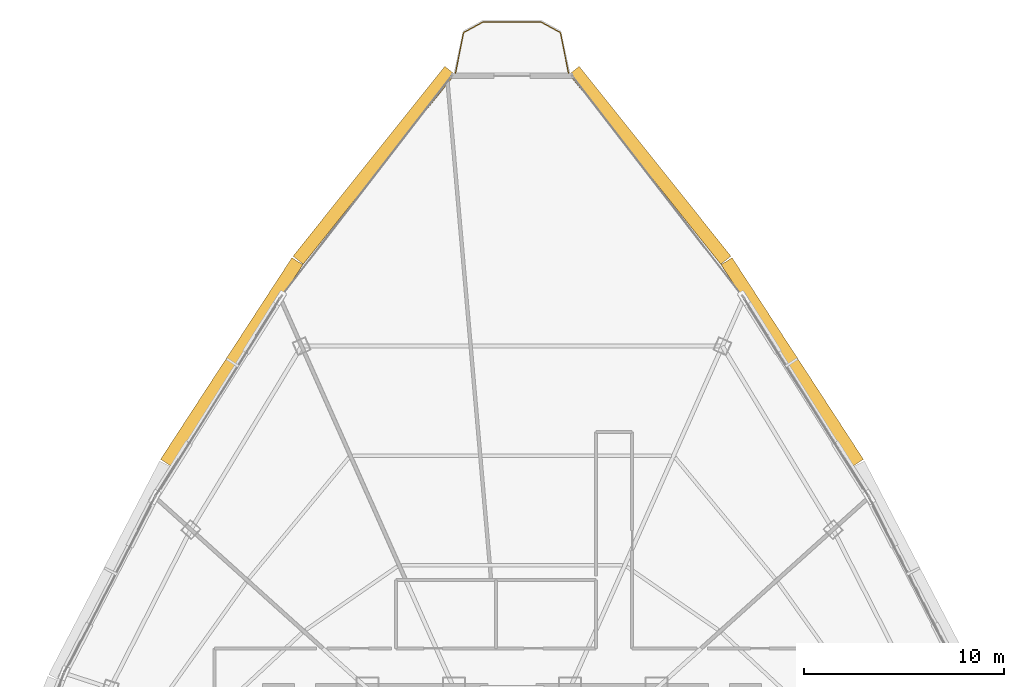
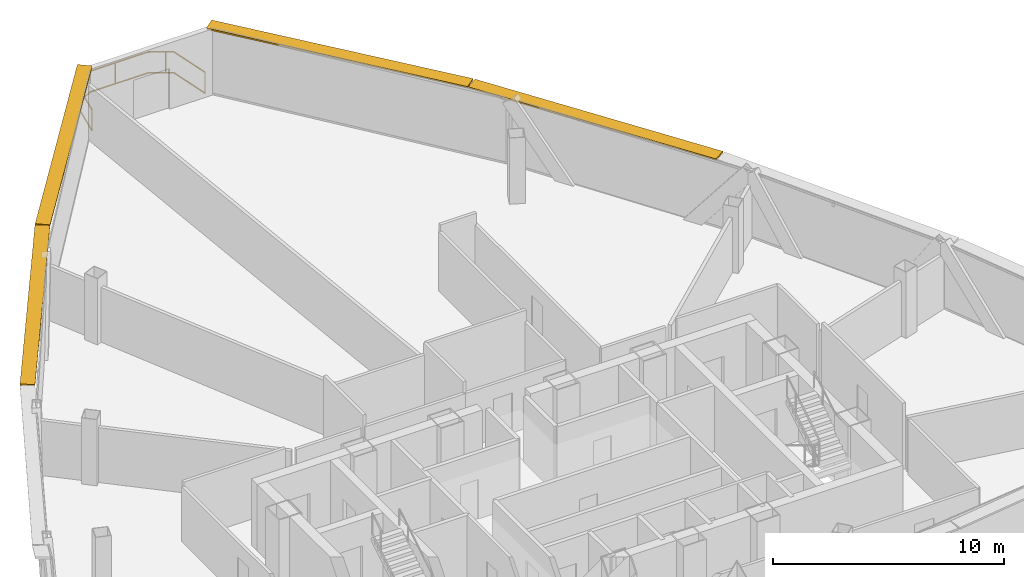
# One storey, part 30 of 30: 4 shading devices, 1 railing.
"""IFC4 building model written with IfcOpenShell, lengths in metres."""

from ifc_helpers import new_model, si_unit, direction, frame, origin, origin_2d, place, context, subcontext, project, spatial, rectangle, extrude, source, transform, mapped, material, layer, layer_set, type_object, element, save


model = new_model("IFC4")

# Units and contexts
model_context = context("Model", 3, precision=1e-05, world=origin(), true_north=direction((0.0, 1.0)))
body_context = subcontext(model_context, "Body", "Model", "MODEL_VIEW")
ifc_project = project(units=[si_unit("LENGTHUNIT", "METRE"), si_unit("AREAUNIT", "SQUARE_METRE"), si_unit("VOLUMEUNIT", "CUBIC_METRE"), si_unit("PLANEANGLEUNIT", "RADIAN"), si_unit("MASSUNIT", "GRAM", prefix="KILO"), si_unit("THERMODYNAMICTEMPERATUREUNIT", "KELVIN"), si_unit("POWERUNIT", "WATT")], contexts=[model_context])

# Site, building, storey
site_placement = place(None, origin())
site = spatial("IfcSite", under=ifc_project, at=site_placement, CompositionType="ELEMENT")
building_placement = place(site_placement, origin())
building = spatial("IfcBuilding", under=site, at=building_placement, Name="Yunzhuo Pagoda Commons", CompositionType="ELEMENT")
storey_placement = place(building_placement, frame((0.0, 0.0, 348.010009765625)))
storey = spatial("IfcBuildingStorey", under=building, at=storey_placement, Name="L87", CompositionType="ELEMENT", Elevation=348.010009765625)

# Railing
ifc_material = material(Name="Anodized aluminium 6063-T6", Category="aluminium")
railing_type = type_object("IfcRailingType", Name="RL-BAL1 Exterior Terrace & Balcony Balustrade 1150", PredefinedType="BALUSTRADE", material=ifc_material)
railing_placement = place(storey_placement, frame((50.819091796875, 70.908935546875, 0.0)))
element("IfcRailing", 1, at=railing_placement, inside=storey, type_object=railing_type, Name="L87 corner balcony balustrade V3", PredefinedType="BALUSTRADE", context=body_context, shape_type="SweptSolid", body=[
    extrude(rectangle(XDim=0.048095703125, YDim=0.048095703125, at=origin_2d()), frame((0.0, 0.0, 1.1259765625), z_axis=(-0.194200568098, 0.980961843983, 0.0), x_axis=(-0.980961843983, -0.194200568098, 0.0)), (0.0, 0.0, 1.0), 2.059326171875),
    extrude(rectangle(XDim=0.048095703125, YDim=0.048095703125, at=origin_2d()), frame((0.0, 0.0, 0.02392578125), z_axis=(-0.194200568098, 0.980961843983, 0.0), x_axis=(-0.980961843983, -0.194200568098, 0.0)), (0.0, 0.0, 1.0), 2.059326171875),
    extrude(rectangle(XDim=0.048095703125, YDim=0.048095703125, at=origin_2d()), frame((-0.39990234375, 2.02001953125, 1.1259765625), z_axis=(-0.87743072254, 0.479703374121, 0.0), x_axis=(-0.479703374121, -0.87743072254, 0.0)), (0.0, 0.0, 1.0), 1.10498046875),
    extrude(rectangle(XDim=0.048095703125, YDim=0.048095703125, at=origin_2d()), frame((-0.39990234375, 2.02001953125, 0.02392578125), z_axis=(-0.87743072254, 0.479703374121, 0.0), x_axis=(-0.479703374121, -0.87743072254, 0.0)), (0.0, 0.0, 1.0), 1.10498046875),
    extrude(rectangle(XDim=0.048095703125, YDim=0.048095703125, at=origin_2d()), frame((-1.369384765625, 2.550048828125, 1.1259765625), z_axis=(-1.0, 0.0, 0.0), x_axis=(0.0, -1.0, 0.0)), (0.0, 0.0, 1.0), 2.8994140625),
    extrude(rectangle(XDim=0.048095703125, YDim=0.048095703125, at=origin_2d()), frame((-1.369384765625, 2.550048828125, 0.02392578125), z_axis=(-1.0, 0.0, 0.0), x_axis=(0.0, -1.0, 0.0)), (0.0, 0.0, 1.0), 2.8994140625),
    extrude(rectangle(XDim=0.048095703125, YDim=0.048095703125, at=origin_2d()), frame((-4.268798828125, 2.550048828125, 1.1259765625), z_axis=(-0.87743072254, -0.479703374121, 0.0), x_axis=(0.479703374121, -0.87743072254, 0.0)), (0.0, 0.0, 1.0), 1.10498046875),
    extrude(rectangle(XDim=0.048095703125, YDim=0.048095703125, at=origin_2d()), frame((-4.268798828125, 2.550048828125, 0.02392578125), z_axis=(-0.87743072254, -0.479703374121, 0.0), x_axis=(0.479703374121, -0.87743072254, 0.0)), (0.0, 0.0, 1.0), 1.10498046875),
    extrude(rectangle(XDim=0.048095703125, YDim=0.048095703125, at=origin_2d()), frame((-5.23828125, 2.02001953125, 1.1259765625), z_axis=(-0.194200568098, -0.980961843983, 0.0), x_axis=(0.980961843983, -0.194200568098, 0.0)), (0.0, 0.0, 1.0), 2.059326171875),
    extrude(rectangle(XDim=0.048095703125, YDim=0.048095703125, at=origin_2d()), frame((-5.23828125, 2.02001953125, 0.02392578125), z_axis=(-0.194200568098, -0.980961843983, 0.0), x_axis=(0.980961843983, -0.194200568098, 0.0)), (0.0, 0.0, 1.0), 2.059326171875),
    extrude(rectangle(XDim=0.0419921875, YDim=0.0419921875, at=origin_2d()), origin(), (0.0, 0.0, 1.0), 1.101806640625),
    extrude(rectangle(XDim=0.0419921875, YDim=0.0419921875, at=origin_2d()), frame((-0.698974609375, 2.18359375, 0.0)), (0.0, 0.0, 1.0), 1.101806640625),
    extrude(rectangle(XDim=0.0419921875, YDim=0.0419921875, at=origin_2d()), frame((-3.00537109375, 2.550048828125, 0.0)), (0.0, 0.0, 1.0), 1.101806640625),
    extrude(rectangle(XDim=0.0419921875, YDim=0.0419921875, at=origin_2d()), frame((-5.244384765625, 1.989013671875, 0.0)), (0.0, 0.0, 1.0), 1.101806640625),
    extrude(rectangle(XDim=0.0419921875, YDim=0.0419921875, at=origin_2d()), frame((-5.63818359375, 0.0, 0.0)), (0.0, 0.0, 1.0), 1.101806640625),
])

# Shading devices
ifc_layer = layer(ifc_material, 0.080078125)
ifc_layer_set = layer_set([ifc_layer], Name="Anodized aluminium 6063-T6")
shading_device_type = type_object("IfcShadingDeviceType", Name="SH-SUN1 Pagoda Horizontal Sunshade Eave 650", PredefinedType="USERDEFINED", material=ifc_layer_set)
shared_shape_1 = source(origin(), body_context, "Body", "SweptSolid", [
    extrude(rectangle(XDim=12.01171875, YDim=0.64990234375, at=origin_2d()), origin(), (0.0, 0.0, 1.0), 0.080078125),
])
for number, where, z_axis, x_axis, name in (
    (2, (61.98779296875, 56.48876953125, 3.409912109375), (0.0, 0.0, 1.0), (-0.545853380833, 0.837880711458, 0.0), "L87 horizontal pagoda sunshade eave F2.3"),
    (3, (34.01220703125, 56.48876953125, 3.409912109375), (0.0, 0.0, 1.0), (-0.545853380833, -0.837880711458, 0.0), "L87 horizontal pagoda sunshade eave F3.2"),
):
    element("IfcShadingDevice", number, at=place(storey_placement, frame(where, z_axis=z_axis, x_axis=x_axis)), inside=storey, type_object=shading_device_type, Name=name, ObjectType="SUNSHADE", PredefinedType="USERDEFINED", context=body_context, shape_type="MappedRepresentation", body=[
        mapped(shared_shape_1, transform((0.0, 0.0, 0.0), scale=1.0)),
    ])
shared_shape_2 = source(origin(), body_context, "Body", "SweptSolid", [
    extrude(rectangle(XDim=12.126708984375, YDim=0.64990234375, at=origin_2d()), origin(), (0.0, 0.0, 1.0), 0.080078125),
])
for number, where, z_axis, x_axis, name in (
    (4, (54.8857421875, 66.3076171875, 3.409912109375), (0.0, 0.0, 1.0), (-0.624520471688, 0.781008438138, 0.0), "L87 horizontal pagoda sunshade eave F2.4"),
    (5, (41.1142578125, 66.3076171875, 3.409912109375), (0.0, 0.0, 1.0), (-0.624520471688, -0.781008438138, 0.0), "L87 horizontal pagoda sunshade eave F3.1"),
):
    element("IfcShadingDevice", number, at=place(storey_placement, frame(where, z_axis=z_axis, x_axis=x_axis)), inside=storey, type_object=shading_device_type, Name=name, ObjectType="SUNSHADE", PredefinedType="USERDEFINED", context=body_context, shape_type="MappedRepresentation", body=[
        mapped(shared_shape_2, transform((0.0, 0.0, 0.0), scale=1.0)),
    ])

save(model, "model.ifc")
